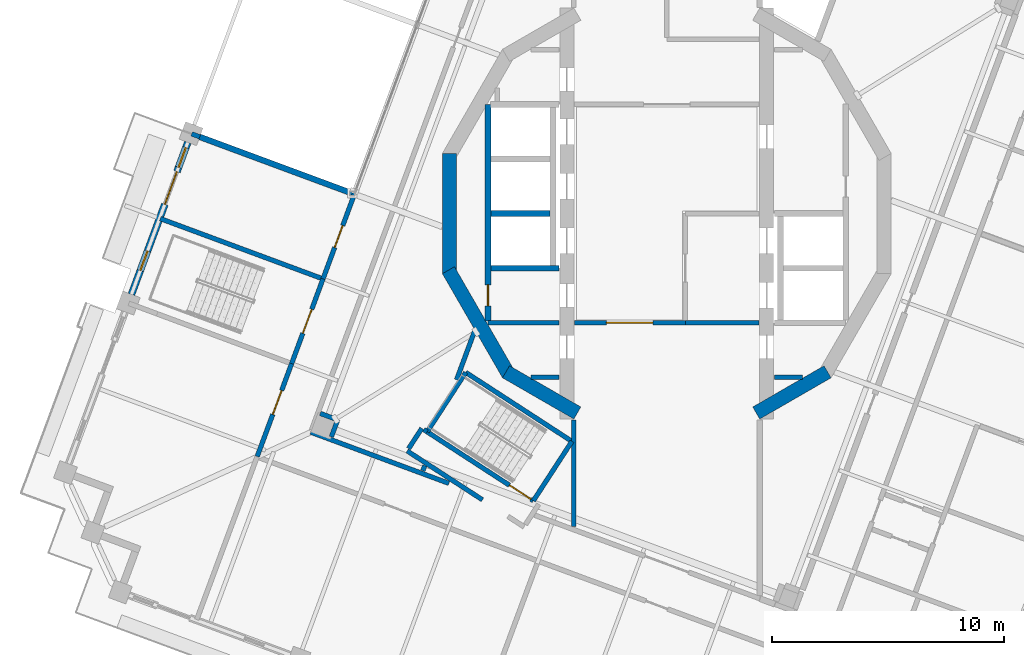
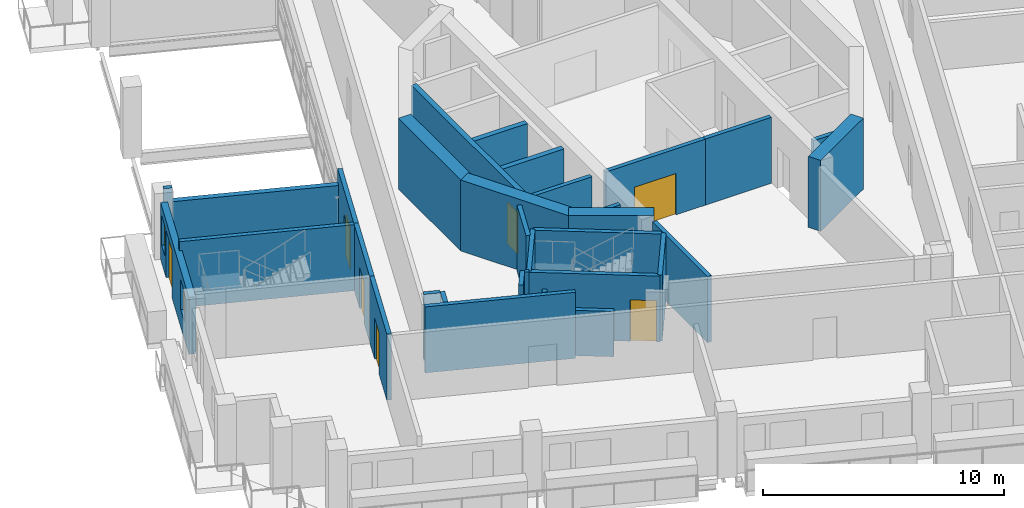
# One storey, part 8 of 20: 32 walls, 7 doors, 2 windows, 9 openings.
"""IFC4 building model written with IfcOpenShell, lengths in metres."""

from ifc_helpers import new_model, si_unit, direction, frame, frame_2d, origin, place, context, subcontext, project, spatial, rectangle, extrude, material, layer, layer_set, type_object, element, fill, save


model = new_model("IFC4")

# Units and contexts
model_context = context("Model", 3, precision=1e-05, world=origin(), true_north=direction((0.0, 1.0)))
body_context = subcontext(model_context, "Body", "Model", "MODEL_VIEW")
ifc_project = project(units=[si_unit("LENGTHUNIT", "METRE"), si_unit("AREAUNIT", "SQUARE_METRE"), si_unit("VOLUMEUNIT", "CUBIC_METRE"), si_unit("PLANEANGLEUNIT", "RADIAN"), si_unit("MASSUNIT", "GRAM", prefix="KILO")], contexts=[model_context])

# Site, building, storey
site_placement = place(None, origin())
site = spatial("IfcSite", under=ifc_project, at=site_placement, CompositionType="ELEMENT")
building_placement = place(site_placement, origin())
building = spatial("IfcBuilding", under=site, at=building_placement, Name="Cantera Rosa Tower", CompositionType="ELEMENT")
storey_placement = place(building_placement, frame((0.0, 0.0, 309.699951171875)))
storey = spatial("IfcBuildingStorey", under=building, at=storey_placement, Name="L68", CompositionType="ELEMENT", Elevation=309.699951171875)

# Wall
ifc_material_1 = material(Name="Gypsum board partition")
ifc_layer_1 = layer(ifc_material_1, 0.199951171875)
ifc_layer_set_1 = layer_set([ifc_layer_1], Name="CORRIDOR WALL 200 H2300")
wall_type_1 = type_object("IfcWallType", Name="CORRIDOR WALL 200 H2300", PredefinedType="PARTITIONING", material=ifc_layer_set_1)
wall_1_placement = place(storey_placement, frame((-11.177490234375, -10.216552734375, 0.0), z_axis=(0.0, 0.0, 1.0), x_axis=(0.83867589464, -0.544630832537, 0.0)))
element("IfcWall", 1, at=wall_1_placement, inside=storey, type_object=wall_type_1, Name="CORRIDOR WALL L68-011", PredefinedType="PARTITIONING", context=body_context, shape_type="SweptSolid", body=[
    extrude(rectangle(XDim=3.864990234375, YDim=0.199951171875, at=frame_2d((1.9326171875, 0.0))), origin(), (0.0, 0.0, 1.0), 2.300048828125),
])

# Wall, opening, door
ifc_material_2 = material(Name="Gypsum board partition")
ifc_layer_2 = layer(ifc_material_2, 0.199951171875)
ifc_layer_set_2 = layer_set([ifc_layer_2], Name="CORRIDOR WALL 200 H3350")
wall_type_2 = type_object("IfcWallType", Name="CORRIDOR WALL 200 H3350", PredefinedType="PARTITIONING", material=ifc_layer_set_2)
wall_2_placement = place(storey_placement, frame((-16.1513671875, -6.460205078125, 0.0), z_axis=(0.0, 0.0, 1.0), x_axis=(-0.347465539693, -0.937692752838, 0.0)))
wall_2 = element("IfcWall", 2, at=wall_2_placement, inside=storey, type_object=wall_type_2, Name="CORRIDOR WALL L68-005", PredefinedType="PARTITIONING", context=body_context, shape_type="SweptSolid", body=[
    extrude(rectangle(XDim=4.260009765625, YDim=0.199951171875, at=frame_2d((2.1298828125, 0.0))), origin(), (0.0, 0.0, 1.0), 3.35009765625),
])
opening_1_placement = place(wall_2_placement, frame((1.22998046875, 0.0, 0.0)))
opening_1 = element("IfcOpeningElement", 3, at=opening_1_placement, cuts=wall_2, Name="Opening L68-026", PredefinedType="OPENING", context=body_context, shape_type="SweptSolid", body=[
    extrude(rectangle(XDim=1.10009765625, YDim=2.10009765625, at=frame_2d((0.550048828125, 1.050048828125))), frame((0.0, 0.10986328125, 0.0), z_axis=(0.0, -1.0, 0.0), x_axis=(1.0, 0.0, 0.0)), (0.0, 0.0, 1.0), 0.219970703125),
])
ifc_material_3 = material(Name="Timber door leaf", Category="wood")
door_type_1 = type_object("IfcDoorType", Name="ROOM DOOR 1100x2100", OperationType="NOTDEFINED", PredefinedType="DOOR", material=ifc_material_3)
door_1_placement = place(opening_1_placement, origin())
door_1 = element("IfcDoor", 4, at=door_1_placement, inside=storey, type_object=door_type_1, Name="DOOR L68-026", OperationType="NOTDEFINED", OverallHeight=2.10009765625, OverallWidth=1.10009765625, PredefinedType="DOOR", context=body_context, shape_type="SweptSolid", body=[
    extrude(rectangle(XDim=1.10009765625, YDim=2.10009765625, at=frame_2d((0.550048828125, 1.050048828125))), frame((0.0, 0.02490234375, 0.0), z_axis=(0.0, -1.0, 0.0), x_axis=(1.0, 0.0, 0.0)), (0.0, 0.0, 1.0), 0.050048828125),
])
fill(opening_1, door_1)

# Walls
wall_3_placement = place(storey_placement, frame((-15.3251953125, -9.4111328125, 0.0), z_axis=(0.0, 0.0, 1.0), x_axis=(0.937682798528, -0.347492401852, 0.0)))
element("IfcWall", 5, at=wall_3_placement, inside=storey, type_object=wall_type_2, Name="CORRIDOR WALL L68-007", PredefinedType="PARTITIONING", context=body_context, shape_type="SweptSolid", body=[
    extrude(rectangle(XDim=6.341552734375, YDim=0.199951171875, at=frame_2d((3.1708984375, 0.0))), origin(), (0.0, 0.0, 1.0), 3.35009765625),
])
wall_4_placement = place(storey_placement, frame((-10.546630859375, -9.2451171875, 0.0), z_axis=(0.0, 0.0, 1.0), x_axis=(-0.544732150362, -0.838610090782, 0.0)))
element("IfcWall", 6, at=wall_4_placement, inside=storey, type_object=wall_type_2, Name="CORRIDOR WALL L68-014", PredefinedType="PARTITIONING", context=body_context, shape_type="SweptSolid", body=[
    extrude(rectangle(XDim=1.038330078125, YDim=0.199951171875, at=frame_2d((0.51904296875, 0.0))), origin(), (0.0, 0.0, 1.0), 3.35009765625),
])
wall_5_placement = place(storey_placement, frame((-10.31591796875, -9.394775390625, 0.0), z_axis=(0.0, 0.0, 1.0), x_axis=(-0.838857934668, 0.544350406856, 0.0)))
element("IfcWall", 7, at=wall_5_placement, inside=storey, type_object=wall_type_2, Name="CORRIDOR WALL L68-016", PredefinedType="PARTITIONING", context=body_context, shape_type="SweptSolid", body=[
    extrude(rectangle(XDim=0.1748046875, YDim=0.199951171875, at=frame_2d((0.08740234375, 0.0))), origin(), (0.0, 0.0, 1.0), 3.35009765625),
])

# Wall, opening, door
wall_6_placement = place(storey_placement, frame((-13.404296875, 0.9521484375, 0.0), z_axis=(0.0, 0.0, 1.0), x_axis=(-0.347502485966, -0.937679061432, 0.0)))
wall_6 = element("IfcWall", 8, at=wall_6_placement, inside=storey, type_object=wall_type_2, Name="CORRIDOR WALL L68-030", PredefinedType="PARTITIONING", context=body_context, shape_type="SweptSolid", body=[
    extrude(rectangle(XDim=4.01513671875, YDim=0.199951171875, at=frame_2d((2.007568359375, 0.0))), origin(), (0.0, 0.0, 1.0), 3.35009765625),
])
opening_2_placement = place(wall_6_placement, frame((1.570068359375, 0.0, 0.0)))
opening_2 = element("IfcOpeningElement", 9, at=opening_2_placement, cuts=wall_6, Name="Opening L68-022", PredefinedType="OPENING", context=body_context, shape_type="SweptSolid", body=[
    extrude(rectangle(XDim=1.0, YDim=2.10009765625, at=frame_2d((0.5, 1.050048828125))), frame((0.0, 0.10986328125, 0.0), z_axis=(0.0, -1.0, 0.0), x_axis=(1.0, 0.0, 0.0)), (0.0, 0.0, 1.0), 0.219970703125),
])
ifc_material_4 = material(Name="Timber door leaf", Category="wood")
door_type_2 = type_object("IfcDoorType", Name="ROOM DOOR 1000x2100", OperationType="NOTDEFINED", PredefinedType="DOOR", material=ifc_material_4)
door_2_placement = place(opening_2_placement, origin())
door_2 = element("IfcDoor", 10, at=door_2_placement, inside=storey, type_object=door_type_2, Name="DOOR L68-022", OperationType="NOTDEFINED", OverallHeight=2.10009765625, OverallWidth=1.0, PredefinedType="DOOR", context=body_context, shape_type="SweptSolid", body=[
    extrude(rectangle(XDim=1.0, YDim=2.10009765625, at=frame_2d((0.5, 1.050048828125))), frame((0.0, 0.02490234375, 0.0), z_axis=(0.0, -1.0, 0.0), x_axis=(1.0, 0.0, 0.0)), (0.0, 0.0, 1.0), 0.050048828125),
])
fill(opening_2, door_2)

# Wall
wall_7_placement = place(storey_placement, frame((-4.0, -13.468017578125, 0.0), z_axis=(0.0, 0.0, 1.0), x_axis=(0.0, 1.0, 0.0)))
element("IfcWall", 11, at=wall_7_placement, inside=storey, type_object=wall_type_2, Name="CORRIDOR WALL L68-045", PredefinedType="PARTITIONING", context=body_context, shape_type="SweptSolid", body=[
    extrude(rectangle(XDim=4.589111328125, YDim=0.199951171875, at=frame_2d((2.29443359375, 0.0))), origin(), (0.0, 0.0, 1.0), 3.35009765625),
])

# Wall, opening, door
wall_8_placement = place(storey_placement, frame((0.800048828125, -4.699951171875, 0.0), z_axis=(0.0, 0.0, 1.0), x_axis=(-1.0, 0.0, 0.0)))
wall_8 = element("IfcWall", 12, at=wall_8_placement, inside=storey, type_object=wall_type_2, Name="CORRIDOR WALL L68-055", PredefinedType="PARTITIONING", context=body_context, shape_type="SweptSolid", body=[
    extrude(rectangle(XDim=4.77001953125, YDim=0.199951171875, at=frame_2d((2.385009765625, 0.0))), origin(), (0.0, 0.0, 1.0), 3.35009765625),
])
opening_3_placement = place(wall_8_placement, frame((1.39990234375, 0.0, 0.0)))
opening_3 = element("IfcOpeningElement", 13, at=opening_3_placement, cuts=wall_8, Name="Opening L68-012", PredefinedType="OPENING", context=body_context, shape_type="SweptSolid", body=[
    extrude(rectangle(XDim=2.0, YDim=2.10009765625, at=frame_2d((1.0, 1.050048828125))), frame((0.0, 0.10986328125, 0.0), z_axis=(0.0, -1.0, 0.0), x_axis=(1.0, 0.0, 0.0)), (0.0, 0.0, 1.0), 0.219970703125),
])
ifc_material_5 = material(Name="Steel S355J2 (EN 10025-2)", Category="steel")
door_type_3 = type_object("IfcDoorType", Name="LOBBY SCREEN DOOR 2000x2100", OperationType="NOTDEFINED", PredefinedType="DOOR", material=ifc_material_5)
door_3_placement = place(opening_3_placement, origin())
door_3 = element("IfcDoor", 14, at=door_3_placement, inside=storey, type_object=door_type_3, Name="DOOR L68-012", OperationType="NOTDEFINED", OverallHeight=2.10009765625, OverallWidth=2.0, PredefinedType="DOOR", context=body_context, shape_type="SweptSolid", body=[
    extrude(rectangle(XDim=2.0, YDim=2.10009765625, at=frame_2d((1.0, 1.050048828125))), frame((0.0, 0.02490234375, 0.0), z_axis=(0.0, -1.0, 0.0), x_axis=(1.0, 0.0, 0.0)), (0.0, 0.0, 1.0), 0.050048828125),
])
fill(opening_3, door_3)

# Wall, openings, windows, door
ifc_material_6 = material(Name="Hollow clay masonry with cantera stone cladding", Category="masonry")
ifc_layer_3 = layer(ifc_material_6, 0.300048828125)
ifc_layer_set_3 = layer_set([ifc_layer_3], Name="EW-LOGGIA 300 H2890")
wall_type_3 = type_object("IfcWallType", Name="EW-LOGGIA 300 H2890", PredefinedType="SOLIDWALL", material=ifc_layer_set_3)
wall_9_placement = place(storey_placement, frame((-20.61962890625, 3.06591796875, 0.0), z_axis=(0.0, 0.0, 1.0), x_axis=(-0.347471562124, -0.937690521182, 0.0)))
wall_9 = element("IfcWall", 15, at=wall_9_placement, inside=storey, type_object=wall_type_3, Name="EN-L68-W10", PredefinedType="SOLIDWALL", context=body_context, shape_type="SweptSolid", body=[
    extrude(rectangle(XDim=6.979736328125, YDim=0.300048828125, at=frame_2d((3.48974609375, 0.0))), origin(), (0.0, 0.0, 1.0), 2.89013671875),
])
opening_4_placement = place(wall_9_placement, frame((0.2451171875, 0.0, 0.89990234375)))
opening_4 = element("IfcOpeningElement", 16, at=opening_4_placement, cuts=wall_9, Name="Opening L68-W16", PredefinedType="OPENING", context=body_context, shape_type="SweptSolid", body=[
    extrude(rectangle(XDim=0.89990234375, YDim=1.5, at=frame_2d((0.449951171875, 0.75))), frame((0.0, 0.159912109375, 0.0), z_axis=(0.0, -1.0, 0.0), x_axis=(1.0, 0.0, 0.0)), (0.0, 0.0, 1.0), 0.320068359375),
])
opening_5_placement = place(wall_9_placement, frame((1.344970703125, 0.0, 0.0)))
opening_5 = element("IfcOpeningElement", 17, at=opening_5_placement, cuts=wall_9, Name="Opening L68-TD17", PredefinedType="OPENING", context=body_context, shape_type="SweptSolid", body=[
    extrude(rectangle(XDim=1.5, YDim=2.39990234375, at=frame_2d((0.75, 1.199951171875))), frame((0.0, 0.159912109375, 0.0), z_axis=(0.0, -1.0, 0.0), x_axis=(1.0, 0.0, 0.0)), (0.0, 0.0, 1.0), 0.320068359375),
])
opening_6_placement = place(wall_9_placement, frame((4.985107421875, 0.0, 0.89990234375)))
opening_6 = element("IfcOpeningElement", 18, at=opening_6_placement, cuts=wall_9, Name="Opening L68-W18", PredefinedType="OPENING", context=body_context, shape_type="SweptSolid", body=[
    extrude(rectangle(XDim=0.89990234375, YDim=1.5, at=frame_2d((0.449951171875, 0.75))), frame((0.0, 0.159912109375, 0.0), z_axis=(0.0, -1.0, 0.0), x_axis=(1.0, 0.0, 0.0)), (0.0, 0.0, 1.0), 0.320068359375),
])
ifc_material_7 = material(Name="Aluminium frame with clear glass", Category="aluminium")
window_type = type_object("IfcWindowType", Name="Residential window 900x1500", PartitioningType="SINGLE_PANEL", PredefinedType="WINDOW", material=ifc_material_7)
window_1_placement = place(opening_4_placement, origin())
window_1 = element("IfcWindow", 19, at=window_1_placement, inside=storey, type_object=window_type, Name="WINDOW L68-W16", OverallHeight=1.5, OverallWidth=0.89990234375, PartitioningType="SINGLE_PANEL", PredefinedType="WINDOW", context=body_context, shape_type="SweptSolid", body=[
    extrude(rectangle(XDim=0.89990234375, YDim=1.5, at=frame_2d((0.449951171875, 0.75))), frame((0.0, 0.030029296875, 0.0), z_axis=(0.0, -1.0, 0.0), x_axis=(1.0, 0.0, 0.0)), (0.0, 0.0, 1.0), 0.06005859375),
])
fill(opening_4, window_1)
window_2_placement = place(opening_6_placement, origin())
window_2 = element("IfcWindow", 20, at=window_2_placement, inside=storey, type_object=window_type, Name="WINDOW L68-W18", OverallHeight=1.5, OverallWidth=0.89990234375, PartitioningType="SINGLE_PANEL", PredefinedType="WINDOW", context=body_context, shape_type="SweptSolid", body=[
    extrude(rectangle(XDim=0.89990234375, YDim=1.5, at=frame_2d((0.449951171875, 0.75))), frame((0.0, 0.030029296875, 0.0), z_axis=(0.0, -1.0, 0.0), x_axis=(1.0, 0.0, 0.0)), (0.0, 0.0, 1.0), 0.06005859375),
])
fill(opening_6, window_2)
ifc_material_8 = material(Name="Aluminium frame with clear glass", Category="aluminium")
door_type_4 = type_object("IfcDoorType", Name="TD-R 1500x2400", OperationType="NOTDEFINED", PredefinedType="DOOR", material=ifc_material_8)
door_4_placement = place(opening_5_placement, origin())
door_4 = element("IfcDoor", 21, at=door_4_placement, inside=storey, type_object=door_type_4, Name="LOGGIA DOOR L68-TD17", OperationType="SLIDING_TO_LEFT", OverallHeight=2.39990234375, OverallWidth=1.5, PredefinedType="DOOR", context=body_context, shape_type="SweptSolid", body=[
    extrude(rectangle(XDim=1.5, YDim=2.39990234375, at=frame_2d((0.75, 1.199951171875))), frame((0.0, 0.02490234375, 0.0), z_axis=(0.0, -1.0, 0.0), x_axis=(1.0, 0.0, 0.0)), (0.0, 0.0, 1.0), 0.050048828125),
])
fill(opening_5, door_4)

# Walls
ifc_material_9 = material(Name="Concrete C40/50", Category="concrete")
ifc_layer_4 = layer(ifc_material_9, 0.25)
ifc_layer_set_4 = layer_set([ifc_layer_4], Name="EW-POCKET CHEEK 250 H2670")
wall_type_4 = type_object("IfcWallType", Name="EW-POCKET CHEEK 250 H2670", PredefinedType="SOLIDWALL", material=ifc_layer_set_4)
wall_10_placement = place(storey_placement, frame((-20.10546875, 3.302001953125, 0.0), z_axis=(0.0, 0.0, 1.0), x_axis=(0.937685216413, -0.347485877297, 0.0)))
element("IfcWall", 22, at=wall_10_placement, inside=storey, type_object=wall_type_4, Name="POCKET CHEEK B L68", PredefinedType="SOLIDWALL", context=body_context, shape_type="SweptSolid", body=[
    extrude(rectangle(XDim=7.0, YDim=0.25, at=frame_2d((3.5, 0.0))), origin(), (0.0, 0.0, 1.0), 2.670166015625),
])
ifc_material_10 = material(Name="Gypsum board partition")
ifc_layer_5 = layer(ifc_material_10, 0.199951171875)
ifc_layer_set_5 = layer_set([ifc_layer_5], Name="PARTITION 200 H3350")
wall_type_5 = type_object("IfcWallType", Name="PARTITION 200 H3350", PredefinedType="PARTITIONING", material=ifc_layer_set_5)
wall_11_placement = place(storey_placement, frame((-20.452392578125, 3.4306640625, 0.0), z_axis=(0.0, 0.0, 1.0), x_axis=(0.937597447594, -0.347722628348, 0.0)))
element("IfcWall", 23, at=wall_11_placement, inside=storey, type_object=wall_type_5, Name="PARTITION L68-002", PredefinedType="PARTITIONING", context=body_context, shape_type="SweptSolid", body=[
    extrude(rectangle(XDim=0.3701171875, YDim=0.199951171875, at=frame_2d((0.18505859375, 0.0))), origin(), (0.0, 0.0, 1.0), 3.35009765625),
])
wall_12_placement = place(storey_placement, frame((-14.439697265625, -9.611328125, 0.0), z_axis=(0.0, 0.0, 1.0), x_axis=(0.347691457596, 0.937609007164, 0.0)))
element("IfcWall", 24, at=wall_12_placement, inside=storey, type_object=wall_type_5, Name="PARTITION L68-009", PredefinedType="PARTITIONING", context=body_context, shape_type="SweptSolid", body=[
    extrude(rectangle(XDim=0.780029296875, YDim=0.199951171875, at=frame_2d((0.39013671875, 0.0))), origin(), (0.0, 0.0, 1.0), 3.35009765625),
])
wall_13_placement = place(storey_placement, frame((-14.26220703125, -8.84521484375, 0.0), z_axis=(0.0, 0.0, 1.0), x_axis=(-0.937740347131, 0.347337071678, 0.0)))
element("IfcWall", 25, at=wall_13_placement, inside=storey, type_object=wall_type_5, Name="PARTITION L68-010", PredefinedType="PARTITIONING", context=body_context, shape_type="SweptSolid", body=[
    extrude(rectangle(XDim=0.7001953125, YDim=0.199951171875, at=frame_2d((0.35009765625, 0.0))), origin(), (0.0, 0.0, 1.0), 3.35009765625),
])
wall_14_placement = place(storey_placement, frame((-10.4189453125, -10.848876953125, 0.0), z_axis=(0.0, 0.0, 1.0), x_axis=(-0.34761669647, -0.937636727275, 0.0)))
element("IfcWall", 26, at=wall_14_placement, inside=storey, type_object=wall_type_5, Name="PARTITION L68-015", PredefinedType="PARTITIONING", context=body_context, shape_type="SweptSolid", body=[
    extrude(rectangle(XDim=0.236572265625, YDim=0.199951171875, at=frame_2d((0.1181640625, 0.0))), origin(), (0.0, 0.0, 1.0), 3.35009765625),
])
wall_15_placement = place(storey_placement, frame((-8.27099609375, -5.052490234375, 0.0), z_axis=(0.0, 0.0, 1.0), x_axis=(-0.347473745141, -0.937689712239, 0.0)))
element("IfcWall", 27, at=wall_15_placement, inside=storey, type_object=wall_type_5, Name="PARTITION L68-020", PredefinedType="PARTITIONING", context=body_context, shape_type="SweptSolid", body=[
    extrude(rectangle(XDim=2.244873046875, YDim=0.199951171875, at=frame_2d((1.12255859375, 0.0))), origin(), (0.0, 0.0, 1.0), 3.35009765625),
])
wall_16_placement = place(storey_placement, frame((-7.699951171875, -4.699951171875, 0.0), z_axis=(0.0, 0.0, 1.0), x_axis=(1.0, 0.0, 0.0)))
element("IfcWall", 28, at=wall_16_placement, inside=storey, type_object=wall_type_5, Name="PARTITION L68-022", PredefinedType="PARTITIONING", context=body_context, shape_type="SweptSolid", body=[
    extrude(rectangle(XDim=3.070068359375, YDim=0.199951171875, at=frame_2d((1.53515625, 0.0))), origin(), (0.0, 0.0, 1.0), 3.35009765625),
])
for number, where, z_axis, x_axis, name in (
    (29, (-4.6298828125, -7.050048828125, 0.0), (0.0, 0.0, 1.0), (-1.0, 0.0, 0.0), "PARTITION L68-042"),
    (30, (5.84765625, -7.050048828125, 0.0), (0.0, 0.0, 1.0), (-1.0, 0.0, 0.0), "PARTITION L68-076"),
):
    element("IfcWall", number, at=place(storey_placement, frame(where, z_axis=z_axis, x_axis=x_axis)), inside=storey, type_object=wall_type_5, Name=name, PredefinedType="PARTITIONING", context=body_context, shape_type="SweptSolid", body=[
        extrude(rectangle(XDim=1.2177734375, YDim=0.199951171875, at=frame_2d((0.60888671875, 0.0))), origin(), (0.0, 0.0, 1.0), 3.35009765625),
    ])
ifc_material_11 = material(Name="Concrete C50/60", Category="concrete")
ifc_layer_6 = layer(ifc_material_11, 0.60009765625)
ifc_layer_set_6 = layer_set([ifc_layer_6], Name="RC CORE WALL 600 C50/60")
wall_type_6 = type_object("IfcWallType", Name="RC CORE WALL 600 C50/60", PredefinedType="SHEAR", material=ifc_layer_set_6)
wall_17_placement = place(storey_placement, frame((-3.85009765625, -8.584228515625, 0.0), z_axis=(0.0, 0.0, 1.0), x_axis=(-0.866039982607, 0.499974747889, 0.0)))
element("IfcWall", 31, at=wall_17_placement, inside=storey, type_object=wall_type_6, Name="CW-W1 L68", PredefinedType="SHEAR", context=body_context, shape_type="SweptSolid", body=[
    extrude(rectangle(XDim=3.546142578125, YDim=0.60009765625, at=frame_2d((1.77294921875, 0.0))), origin(), (0.0, 0.0, 1.0), 3.60009765625),
])
for number, where, z_axis, x_axis, name in (
    (32, (-6.811279296875, -6.921142578125, 0.0), (0.0, 0.0, 1.0), (-0.499989188378, 0.866031645787, 0.0), "CW-W2 L68"),
    (33, (-9.359375, -2.588134765625, 0.0), (0.0, 0.0, 1.0), (0.0, 1.0, 0.0), "CW-W3 L68"),
):
    element("IfcWall", number, at=place(storey_placement, frame(where, z_axis=z_axis, x_axis=x_axis)), inside=storey, type_object=wall_type_6, Name=name, PredefinedType="SHEAR", context=body_context, shape_type="SweptSolid", body=[
        extrude(rectangle(XDim=5.17626953125, YDim=0.60009765625, at=frame_2d((2.588134765625, 0.0))), origin(), (0.0, 0.0, 1.0), 3.60009765625),
    ])
wall_18_placement = place(storey_placement, frame((6.921142578125, -6.811279296875, 0.0), z_axis=(0.0, 0.0, 1.0), x_axis=(-0.866039982607, -0.499974747889, 0.0)))
element("IfcWall", 34, at=wall_18_placement, inside=storey, type_object=wall_type_6, Name="CW-E5 L68", PredefinedType="SHEAR", context=body_context, shape_type="SweptSolid", body=[
    extrude(rectangle(XDim=3.546142578125, YDim=0.60009765625, at=frame_2d((1.77294921875, 0.0))), origin(), (0.0, 0.0, 1.0), 3.60009765625),
])
ifc_material_12 = material(Name="Masonry blockwork", Category="masonry")
ifc_layer_7 = layer(ifc_material_12, 0.25)
ifc_layer_set_7 = layer_set([ifc_layer_7], Name="SHAFT WALL 250 H3350")
wall_type_7 = type_object("IfcWallType", Name="SHAFT WALL 250 H3350", PredefinedType="SOLIDWALL", material=ifc_layer_set_7)
wall_19_placement = place(storey_placement, frame((-7.574951171875, 0.0, 0.0), z_axis=(0.0, 0.0, 1.0), x_axis=(1.0, 0.0, 0.0)))
element("IfcWall", 35, at=wall_19_placement, inside=storey, type_object=wall_type_7, Name="SHAFT WALL L68-023", PredefinedType="SOLIDWALL", context=body_context, shape_type="SweptSolid", body=[
    extrude(rectangle(XDim=2.554931640625, YDim=0.25, at=frame_2d((1.27734375, 0.0))), origin(), (0.0, 0.0, 1.0), 3.35009765625),
])

# Wall, opening, door
wall_20_placement = place(storey_placement, frame((-7.699951171875, 4.699951171875, 0.0), z_axis=(0.0, 0.0, 1.0), x_axis=(0.0, -1.0, 0.0)))
wall_20 = element("IfcWall", 36, at=wall_20_placement, inside=storey, type_object=wall_type_7, Name="SHAFT WALL L68-025", PredefinedType="SOLIDWALL", context=body_context, shape_type="SweptSolid", body=[
    extrude(rectangle(XDim=9.320068359375, YDim=0.25, at=frame_2d((4.66015625, 0.0))), origin(), (0.0, 0.0, 1.0), 3.35009765625),
])
opening_7_placement = place(wall_20_placement, frame((7.7705078125, 0.0, 0.0)))
opening_7 = element("IfcOpeningElement", 37, at=opening_7_placement, cuts=wall_20, Name="Opening L68-042", PredefinedType="OPENING", context=body_context, shape_type="SweptSolid", body=[
    extrude(rectangle(XDim=0.89990234375, YDim=2.10009765625, at=frame_2d((0.449951171875, 1.050048828125))), frame((0.0, 0.135009765625, 0.0), z_axis=(0.0, -1.0, 0.0), x_axis=(1.0, 0.0, 0.0)), (0.0, 0.0, 1.0), 0.27001953125),
])
ifc_material_13 = material(Name="Timber door leaf", Category="wood")
door_type_5 = type_object("IfcDoorType", Name="SERVICE DOOR 900x2100", OperationType="NOTDEFINED", PredefinedType="DOOR", material=ifc_material_13)
door_5_placement = place(opening_7_placement, origin())
door_5 = element("IfcDoor", 38, at=door_5_placement, inside=storey, type_object=door_type_5, Name="RISER DOOR L68-042", OperationType="NOTDEFINED", OverallHeight=2.10009765625, OverallWidth=0.89990234375, PredefinedType="DOOR", context=body_context, shape_type="SweptSolid", body=[
    extrude(rectangle(XDim=0.89990234375, YDim=2.10009765625, at=frame_2d((0.449951171875, 1.050048828125))), frame((0.0, 0.02490234375, 0.0), z_axis=(0.0, -1.0, 0.0), x_axis=(1.0, 0.0, 0.0)), (0.0, 0.0, 1.0), 0.050048828125),
])
fill(opening_7, door_5)

# Wall
wall_21_placement = place(storey_placement, frame((-4.6298828125, -2.35009765625, 0.0), z_axis=(0.0, 0.0, 1.0), x_axis=(-1.0, 0.0, 0.0)))
element("IfcWall", 39, at=wall_21_placement, inside=storey, type_object=wall_type_7, Name="SHAFT WALL L68-043", PredefinedType="SOLIDWALL", context=body_context, shape_type="SweptSolid", body=[
    extrude(rectangle(XDim=2.945068359375, YDim=0.25, at=frame_2d((1.47265625, 0.0))), origin(), (0.0, 0.0, 1.0), 3.35009765625),
])

# Wall, opening, door
ifc_material_14 = material(Name="Concrete C50/60", Category="concrete")
ifc_layer_8 = layer(ifc_material_14, 0.199951171875)
ifc_layer_set_8 = layer_set([ifc_layer_8], Name="STAIR WALL 200 H3350")
wall_type_8 = type_object("IfcWallType", Name="STAIR WALL 200 H3350", PredefinedType="SOLIDWALL", material=ifc_layer_set_8)
wall_22_placement = place(storey_placement, frame((-16.1513671875, -6.460205078125, 0.0), z_axis=(0.0, 0.0, 1.0), x_axis=(0.347516717491, 0.937673787126, 0.0)))
wall_22 = element("IfcWall", 40, at=wall_22_placement, inside=storey, type_object=wall_type_8, Name="STAIR WALL L68-006", PredefinedType="SOLIDWALL", context=body_context, shape_type="SweptSolid", body=[
    extrude(rectangle(XDim=3.889892578125, YDim=0.199951171875, at=frame_2d((1.94482421875, 0.0))), origin(), (0.0, 0.0, 1.0), 3.35009765625),
])
opening_8_placement = place(wall_22_placement, frame((1.39501953125, 0.0, 0.0)))
opening_8 = element("IfcOpeningElement", 41, at=opening_8_placement, cuts=wall_22, Name="Opening L68-003", PredefinedType="OPENING", context=body_context, shape_type="SweptSolid", body=[
    extrude(rectangle(XDim=1.10009765625, YDim=2.10009765625, at=frame_2d((0.550048828125, 1.050048828125))), frame((0.0, 0.10986328125, 0.0), z_axis=(0.0, -1.0, 0.0), x_axis=(1.0, 0.0, 0.0)), (0.0, 0.0, 1.0), 0.219970703125),
])
ifc_material_15 = material(Name="Steel S355J2 (EN 10025-2)", Category="steel")
door_type_6 = type_object("IfcDoorType", Name="STAIR DOOR 1100x2100", OperationType="NOTDEFINED", PredefinedType="DOOR", material=ifc_material_15)
door_6_placement = place(opening_8_placement, origin())
door_6 = element("IfcDoor", 42, at=door_6_placement, inside=storey, type_object=door_type_6, Name="DOOR L68-003", OperationType="NOTDEFINED", OverallHeight=2.10009765625, OverallWidth=1.10009765625, PredefinedType="DOOR", context=body_context, shape_type="SweptSolid", body=[
    extrude(rectangle(XDim=1.10009765625, YDim=2.10009765625, at=frame_2d((0.550048828125, 1.050048828125))), frame((0.0, 0.02490234375, 0.0), z_axis=(0.0, -1.0, 0.0), x_axis=(1.0, 0.0, 0.0)), (0.0, 0.0, 1.0), 0.050048828125),
])
fill(opening_8, door_6)

# Walls
wall_23_placement = place(storey_placement, frame((-14.799560546875, -2.812744140625, 0.0), z_axis=(0.0, 0.0, 1.0), x_axis=(-0.93768803379, 0.347478274555, 0.0)))
element("IfcWall", 43, at=wall_23_placement, inside=storey, type_object=wall_type_8, Name="STAIR WALL L68-008", PredefinedType="SOLIDWALL", context=body_context, shape_type="SweptSolid", body=[
    extrude(rectangle(XDim=7.47021484375, YDim=0.199951171875, at=frame_2d((3.735107421875, 0.0))), origin(), (0.0, 0.0, 1.0), 3.35009765625),
])
wall_24_placement = place(storey_placement, frame((-8.65478515625, -6.8369140625, 0.0), z_axis=(0.0, 0.0, 1.0), x_axis=(-0.544647854685, -0.838664840319, 0.0)))
element("IfcWall", 44, at=wall_24_placement, inside=storey, type_object=wall_type_8, Name="STAIR WALL L68-018", PredefinedType="SOLIDWALL", context=body_context, shape_type="SweptSolid", body=[
    extrude(rectangle(XDim=3.0498046875, YDim=0.199951171875, at=frame_2d((1.52490234375, 0.0))), origin(), (0.0, 0.0, 1.0), 3.35009765625),
])
wall_25_placement = place(storey_placement, frame((-8.65478515625, -6.8369140625, 0.0), z_axis=(0.0, 0.0, 1.0), x_axis=(0.838674843592, -0.544632451041, 0.0)))
element("IfcWall", 45, at=wall_25_placement, inside=storey, type_object=wall_type_8, Name="STAIR WALL L68-019", PredefinedType="SOLIDWALL", context=body_context, shape_type="SweptSolid", body=[
    extrude(rectangle(XDim=5.449951171875, YDim=0.199951171875, at=frame_2d((2.72509765625, 0.0))), origin(), (0.0, 0.0, 1.0), 3.35009765625),
])

# Wall, opening, door
wall_26_placement = place(storey_placement, frame((-5.7451171875, -12.363037109375, 0.0), z_axis=(0.0, 0.0, 1.0), x_axis=(-0.838674843592, 0.544632451041, 0.0)))
wall_26 = element("IfcWall", 46, at=wall_26_placement, inside=storey, type_object=wall_type_8, Name="STAIR WALL L68-037", PredefinedType="SOLIDWALL", context=body_context, shape_type="SweptSolid", body=[
    extrude(rectangle(XDim=5.449951171875, YDim=0.199951171875, at=frame_2d((2.72509765625, 0.0))), origin(), (0.0, 0.0, 1.0), 3.35009765625),
])
opening_9_placement = place(wall_26_placement, frame((0.1298828125, 0.0, 0.0)))
opening_9 = element("IfcOpeningElement", 47, at=opening_9_placement, cuts=wall_26, Name="Opening L68-004", PredefinedType="OPENING", context=body_context, shape_type="SweptSolid", body=[
    extrude(rectangle(XDim=1.10009765625, YDim=2.10009765625, at=frame_2d((0.550048828125, 1.050048828125))), frame((0.0, 0.10986328125, 0.0), z_axis=(0.0, -1.0, 0.0), x_axis=(1.0, 0.0, 0.0)), (0.0, 0.0, 1.0), 0.219970703125),
])
door_7_placement = place(opening_9_placement, origin())
door_7 = element("IfcDoor", 48, at=door_7_placement, inside=storey, type_object=door_type_6, Name="DOOR L68-004", OperationType="NOTDEFINED", OverallHeight=2.10009765625, OverallWidth=1.10009765625, PredefinedType="DOOR", context=body_context, shape_type="SweptSolid", body=[
    extrude(rectangle(XDim=1.10009765625, YDim=2.10009765625, at=frame_2d((0.550048828125, 1.050048828125))), frame((0.0, 0.02490234375, 0.0), z_axis=(0.0, -1.0, 0.0), x_axis=(1.0, 0.0, 0.0)), (0.0, 0.0, 1.0), 0.050048828125),
])
fill(opening_9, door_7)

# Walls
wall_27_placement = place(storey_placement, frame((-4.083984375, -9.80517578125, 0.0), z_axis=(0.0, 0.0, 1.0), x_axis=(-0.544647854685, -0.838664840319, 0.0)))
element("IfcWall", 49, at=wall_27_placement, inside=storey, type_object=wall_type_8, Name="STAIR WALL L68-044", PredefinedType="SOLIDWALL", context=body_context, shape_type="SweptSolid", body=[
    extrude(rectangle(XDim=3.0498046875, YDim=0.199951171875, at=frame_2d((1.52490234375, 0.0))), origin(), (0.0, 0.0, 1.0), 3.35009765625),
])
wall_28_placement = place(storey_placement, frame((3.969970703125, -4.699951171875, 0.0), z_axis=(0.0, 0.0, 1.0), x_axis=(-1.0, 0.0, 0.0)))
element("IfcWall", 50, at=wall_28_placement, inside=storey, type_object=wall_type_8, Name="STAIR WALL L68-063", PredefinedType="SOLIDWALL", context=body_context, shape_type="SweptSolid", body=[
    extrude(rectangle(XDim=3.169921875, YDim=0.199951171875, at=frame_2d((1.5849609375, 0.0))), origin(), (0.0, 0.0, 1.0), 3.35009765625),
])

save(model, "model.ifc")
